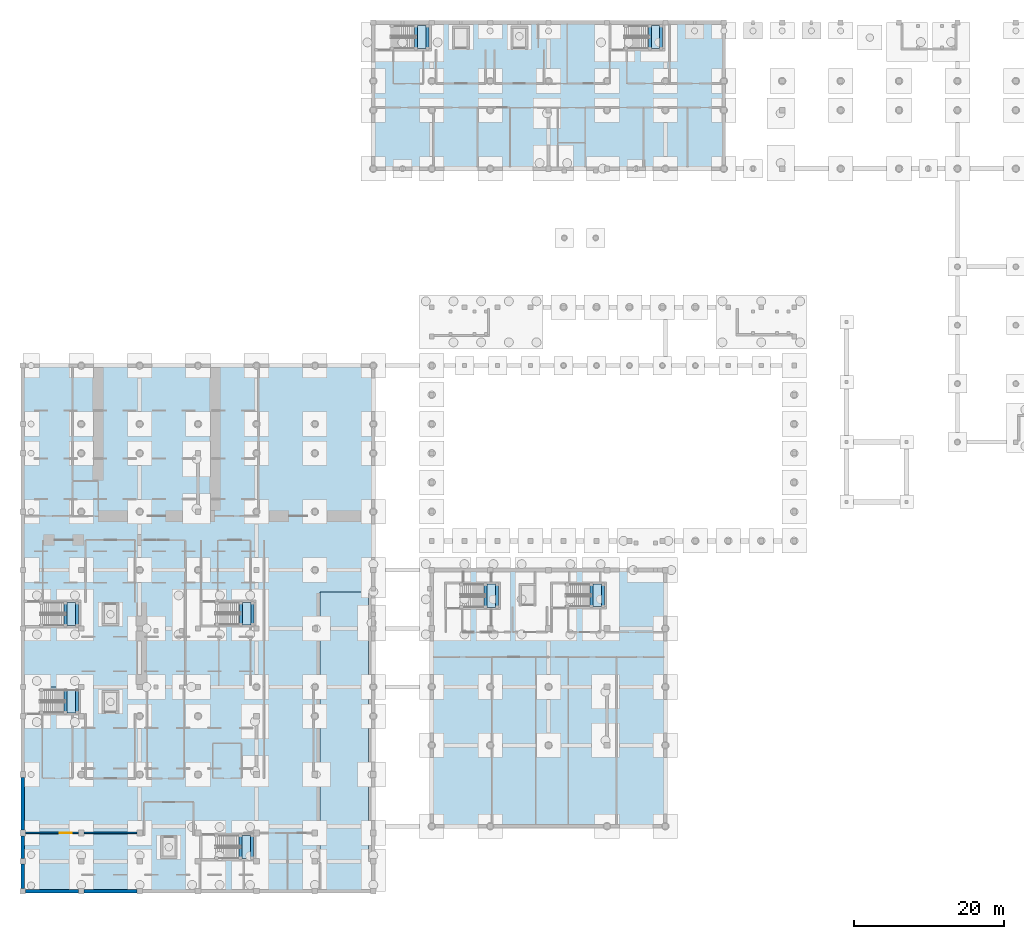
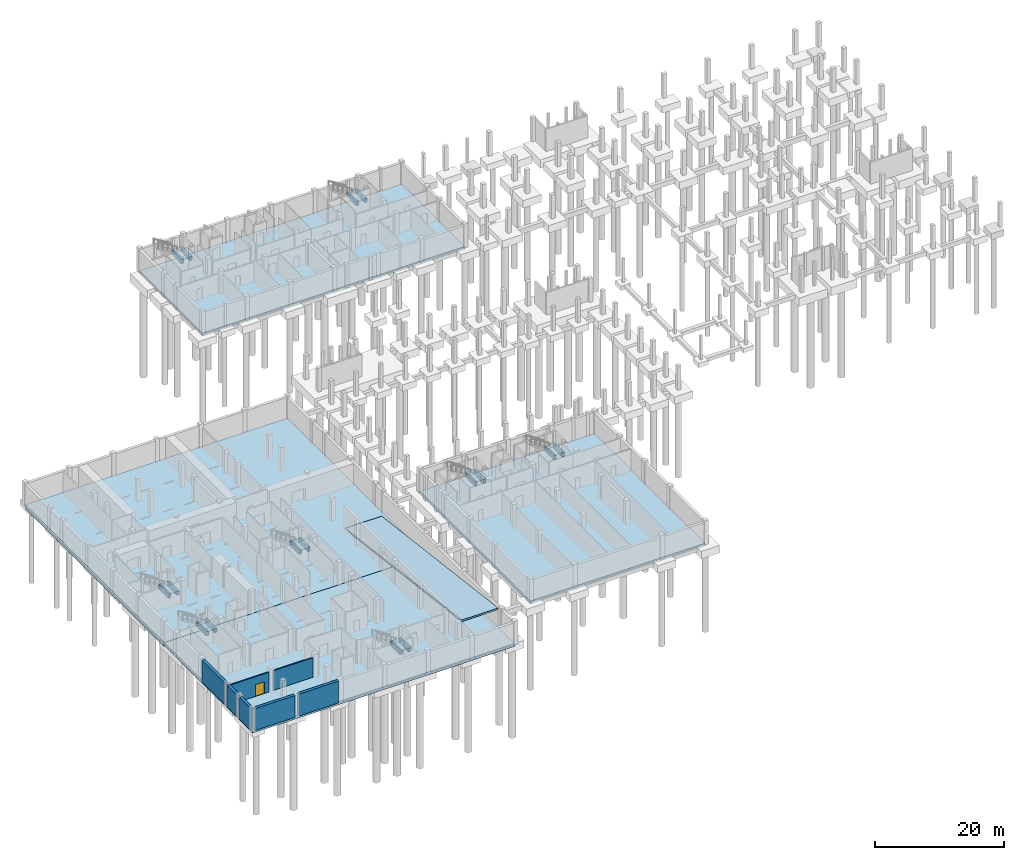
# One storey, part 9 of 24: 16 beams, 13 slabs, 7 walls, 1 door, 1 opening, 8 elements without a shape of their own.
"""IFC4 building model written with IfcOpenShell, lengths in metres."""

from ifc_helpers import new_model, si_unit, direction, frame, frame_2d, origin, origin_2d, place, context, subcontext, project, spatial, polyline, rectangle, outline, extrude, material, layer, layer_set, material_profile, profile_set, type_object, element, fill, aggregate, save


model = new_model("IFC4")

# Units and contexts
model_context = context("Model", 3, precision=1e-05, world=origin(), true_north=direction((0.0, 1.0)))
body_context = subcontext(model_context, "Body", "Model", "MODEL_VIEW")
ifc_project = project(units=[si_unit("LENGTHUNIT", "METRE"), si_unit("AREAUNIT", "SQUARE_METRE"), si_unit("VOLUMEUNIT", "CUBIC_METRE"), si_unit("PLANEANGLEUNIT", "RADIAN"), si_unit("MASSUNIT", "GRAM", prefix="KILO")], contexts=[model_context])

# Site, building, storey
site_placement = place(None, origin())
site = spatial("IfcSite", under=ifc_project, at=site_placement, CompositionType="ELEMENT")
building_placement = place(site_placement, origin())
building = spatial("IfcBuilding", under=site, at=building_placement, Name="Celorna Specialist Clinic", CompositionType="ELEMENT")
storey_placement = place(building_placement, frame((0.0, 0.0, -4.5)))
storey = spatial("IfcBuildingStorey", under=building, at=storey_placement, Name="B01", CompositionType="ELEMENT", Elevation=-4.5)

# Beams
ifc_material_1 = material(Name="Concrete C35/45", Category="concrete")
ifc_material_profile = material_profile(ifc_material_1, rectangle(XDim=0.39990234375, YDim=0.699951171875, at=origin_2d()), Name="RC 400x700")
ifc_profile_set = profile_set([ifc_material_profile], Name="Concrete C35/45")
beam_type = type_object("IfcBeamType", Name="BM-19", PredefinedType="BEAM", material=ifc_profile_set)
for number, where, z_axis, x_axis, name in (
    (1, (52.52001953125, 112.570068359375, 1.824951171875), (0.0, 1.0, 0.0), (-1.0, 0.0, 0.0), "Stair ST-01 half-landing beam B01"),
    (2, (54.0400390625, 112.570068359375, 1.824951171875), (0.0, 1.0, 0.0), (-1.0, 0.0, 0.0), "Stair ST-01 half-landing beam B01"),
    (3, (83.719970703125, 112.570068359375, 1.824951171875), (0.0, 1.0, 0.0), (-1.0, 0.0, 0.0), "Stair ST-02 half-landing beam B01"),
    (4, (85.239990234375, 112.570068359375, 1.824951171875), (0.0, 1.0, 0.0), (-1.0, 0.0, 0.0), "Stair ST-02 half-landing beam B01"),
    (5, (5.68994140625, 23.8701171875, 1.824951171875), (0.0, 1.0, 0.0), (-1.0, 0.0, 0.0), "Stair ST-04 half-landing beam B01"),
    (6, (7.2099609375, 23.8701171875, 1.824951171875), (0.0, 1.0, 0.0), (-1.0, 0.0, 0.0), "Stair ST-04 half-landing beam B01"),
    (7, (29.090087890625, 4.429931640625, 1.824951171875), (0.0, 1.0, 0.0), (-1.0, 0.0, 0.0), "Stair ST-05 half-landing beam B01"),
    (8, (30.610107421875, 4.429931640625, 1.824951171875), (0.0, 1.0, 0.0), (-1.0, 0.0, 0.0), "Stair ST-05 half-landing beam B01"),
    (9, (5.719970703125, 35.530029296875, 1.824951171875), (0.0, 1.0, 0.0), (-1.0, 0.0, 0.0), "Stair ST-06 half-landing beam B01"),
    (10, (7.239990234375, 35.530029296875, 1.824951171875), (0.0, 1.0, 0.0), (-1.0, 0.0, 0.0), "Stair ST-06 half-landing beam B01"),
):
    element("IfcBeam", number, at=place(storey_placement, frame(where, z_axis=z_axis, x_axis=x_axis)), inside=storey, type_object=beam_type, Name=name, PredefinedType="BEAM", context=body_context, shape_type="SweptSolid", body=[
        extrude(rectangle(XDim=0.39990234375, YDim=0.699951171875, at=origin_2d()), origin(), (0.0, 0.0, 1.0), 3.0),
    ])
for number, where, z_axis, x_axis, name in (
    (11, (29.1201171875, 35.6298828125, 1.824951171875), (0.0, 1.0, 0.0), (-1.0, 0.0, 0.0), "Stair ST-07 half-landing beam B01"),
    (12, (30.639892578125, 35.6298828125, 1.824951171875), (0.0, 1.0, 0.0), (-1.0, 0.0, 0.0), "Stair ST-07 half-landing beam B01"),
):
    element("IfcBeam", number, at=place(storey_placement, frame(where, z_axis=z_axis, x_axis=x_axis)), inside=storey, type_object=beam_type, Name=name, PredefinedType="BEAM", context=body_context, shape_type="SweptSolid", body=[
        extrude(rectangle(XDim=0.39990234375, YDim=0.699951171875, at=origin_2d()), origin(), (0.0, 0.0, 1.0), 2.900146484375),
    ])
for number, where, z_axis, x_axis, name in (
    (13, (61.780029296875, 37.969970703125, 1.824951171875), (0.0, 1.0, 0.0), (-1.0, 0.0, 0.0), "Stair ST-08 half-landing beam B01"),
    (14, (63.300048828125, 37.969970703125, 1.824951171875), (0.0, 1.0, 0.0), (-1.0, 0.0, 0.0), "Stair ST-08 half-landing beam B01"),
):
    element("IfcBeam", number, at=place(storey_placement, frame(where, z_axis=z_axis, x_axis=x_axis)), inside=storey, type_object=beam_type, Name=name, PredefinedType="BEAM", context=body_context, shape_type="SweptSolid", body=[
        extrude(rectangle(XDim=0.39990234375, YDim=0.699951171875, at=origin_2d()), origin(), (0.0, 0.0, 1.0), 3.0),
    ])
for number, where, z_axis, x_axis, name in (
    (15, (75.919921875, 38.070068359375, 1.824951171875), (0.0, 1.0, 0.0), (-1.0, 0.0, 0.0), "Stair ST-09 half-landing beam B01"),
    (16, (77.43994140625, 38.070068359375, 1.824951171875), (0.0, 1.0, 0.0), (-1.0, 0.0, 0.0), "Stair ST-09 half-landing beam B01"),
):
    element("IfcBeam", number, at=place(storey_placement, frame(where, z_axis=z_axis, x_axis=x_axis)), inside=storey, type_object=beam_type, Name=name, PredefinedType="BEAM", context=body_context, shape_type="SweptSolid", body=[
        extrude(rectangle(XDim=0.39990234375, YDim=0.699951171875, at=origin_2d()), origin(), (0.0, 0.0, 1.0), 2.89990234375),
    ])

# Slabs
ifc_layer_1 = layer(ifc_material_1, 0.280029296875, Name="Concrete C35/45")
ifc_layer_set_1 = layer_set([ifc_layer_1], Name="Concrete C35/45")
slab_type_1 = type_object("IfcSlabType", Name="RMP-01", PredefinedType="FLOOR", material=ifc_layer_set_1)
slab_1_placement = place(storey_placement, frame((39.64990234375, 40.0, 0.0), z_axis=(0.0, 0.124034734589, 0.992277876714), x_axis=(1.0, 0.0, 0.0)))
element("IfcSlab", 17, at=slab_1_placement, inside=storey, type_object=slab_type_1, Name="Basement vehicle car park ramp R1", PredefinedType="FLOOR", context=body_context, shape_type="SweptSolid", body=[
    extrude(outline(polyline([(0.0, 0.0), (6.5, 0.0), (6.5, -36.28015986734347), (0.0, -36.28015986734347), (0.0, 0.0)])), origin(), (0.0, 0.0, -1.0), 0.280029296875),
])
ifc_material_2 = material(Name="Concrete C40/50", Category="concrete")
ifc_layer_2 = layer(ifc_material_2, 0.800048828125, Name="Concrete C40/50")
ifc_layer_set_2 = layer_set([ifc_layer_2], Name="Concrete C40/50")
slab_type_2 = type_object("IfcSlabType", Name="SL-01", PredefinedType="BASESLAB", material=ifc_layer_set_2)
slab_2_placement = place(storey_placement, frame((0.0, 0.0, -0.800048828125)))
element("IfcSlab", 18, at=slab_2_placement, inside=storey, type_object=slab_type_2, Name="V2 B01 structural slab SL-01", PredefinedType="BASESLAB", context=body_context, shape_type="SweptSolid", body=[
    extrude(outline(polyline([(46.800048828125, 27.300048828125), (46.800048828125, 70.199951171875), (0.0, 70.199951171875), (0.0, 27.300048828125), (46.800048828125, 27.300048828125)]), holes=[polyline([(39.64990234375, 37.699951171875), (46.14990234375, 37.699951171875), (46.14990234375, 40.0), (39.64990234375, 40.0), (39.64990234375, 37.699951171875)])]), origin(), (0.0, 0.0, 1.0), 0.800048828125),
])
ifc_layer_3 = layer(ifc_material_1, 0.550048828125, Name="Concrete C35/45")
ifc_layer_set_3 = layer_set([ifc_layer_3], Name="Concrete C35/45")
slab_type_3 = type_object("IfcSlabType", Name="SL-02", PredefinedType="BASESLAB", material=ifc_layer_set_3)
slab_3_placement = place(storey_placement, frame((0.0, 0.0, -0.550048828125)))
element("IfcSlab", 19, at=slab_3_placement, inside=storey, type_object=slab_type_3, Name="V4 B01 structural slab SL-02", PredefinedType="BASESLAB", context=body_context, shape_type="SweptSolid", body=[
    extrude(outline(polyline([(93.60009765625, 96.5), (93.60009765625, 116.0), (46.800048828125, 116.0), (46.800048828125, 96.5), (93.60009765625, 96.5)])), origin(), (0.0, 0.0, 1.0), 0.550048828125),
])
slab_4_placement = place(storey_placement, frame((0.0, 0.0, -0.550048828125)))
element("IfcSlab", 20, at=slab_4_placement, inside=storey, type_object=slab_type_3, Name="V5 B01 structural slab SL-02", PredefinedType="BASESLAB", context=body_context, shape_type="SweptSolid", body=[
    extrude(outline(polyline([(46.800048828125, 0.0), (46.800048828125, 27.300048828125), (0.0, 27.300048828125), (0.0, 0.0), (46.800048828125, 0.0)])), origin(), (0.0, 0.0, 1.0), 0.550048828125),
])
slab_5_placement = place(storey_placement, frame((0.0, 0.0, -0.550048828125)))
element("IfcSlab", 21, at=slab_5_placement, inside=storey, type_object=slab_type_3, Name="V6 B01 structural slab SL-02", PredefinedType="BASESLAB", context=body_context, shape_type="SweptSolid", body=[
    extrude(outline(polyline([(85.800048828125, 8.699951171875), (85.800048828125, 42.89990234375), (54.60009765625, 42.89990234375), (54.60009765625, 8.699951171875), (85.800048828125, 8.699951171875)])), origin(), (0.0, 0.0, 1.0), 0.550048828125),
])

# Stair, slab
stair_type_1 = type_object("IfcStairType", Name="ST-01", PredefinedType="HALF_TURN_STAIR", material=ifc_material_1)
stair_1_placement = place(storey_placement, origin())
stair_1 = element("IfcStair", 22, at=stair_1_placement, inside=storey, type_object=stair_type_1, Name="B01 Protected exit stair ST-01", PredefinedType="HALF_TURN_STAIR")
ifc_layer_4 = layer(ifc_material_1, 0.199951171875, Name="Concrete C35/45")
ifc_layer_set_4 = layer_set([ifc_layer_4], Name="Concrete C35/45")
slab_type_4 = type_object("IfcSlabType", Name="SL-11", PredefinedType="LANDING", material=ifc_layer_set_4)
slab_6_placement = place(storey_placement, frame((0.0, 0.0, 2.050048828125)))
slab_6 = element("IfcSlab", 23, at=slab_6_placement, type_object=slab_type_4, Name="ST-01 landing 1", PredefinedType="LANDING", context=body_context, shape_type="SweptSolid", body=[
    extrude(outline(polyline([(52.5, 112.52001953125), (54.239990234375, 112.52001953125), (54.239990234375, 115.6201171875), (52.5, 115.6201171875), (52.5, 112.52001953125)])), origin(), (0.0, 0.0, 1.0), 0.199951171875),
])
aggregate(stair_1, [slab_6])

stair_2_placement = place(storey_placement, origin())
stair_2 = element("IfcStair", 24, at=stair_2_placement, inside=storey, type_object=stair_type_1, Name="B01 Protected exit stair ST-02", PredefinedType="HALF_TURN_STAIR")
slab_7_placement = place(storey_placement, frame((0.0, 0.0, 2.050048828125)))
slab_7 = element("IfcSlab", 25, at=slab_7_placement, type_object=slab_type_4, Name="ST-02 landing 1", PredefinedType="LANDING", context=body_context, shape_type="SweptSolid", body=[
    extrude(outline(polyline([(83.699951171875, 112.52001953125), (85.43994140625, 112.52001953125), (85.43994140625, 115.6201171875), (83.699951171875, 115.6201171875), (83.699951171875, 112.52001953125)])), origin(), (0.0, 0.0, 1.0), 0.199951171875),
])
aggregate(stair_2, [slab_7])

stair_3_placement = place(storey_placement, origin())
stair_3 = element("IfcStair", 26, at=stair_3_placement, inside=storey, type_object=stair_type_1, Name="B01 Protected exit stair ST-04", PredefinedType="HALF_TURN_STAIR")
slab_8_placement = place(storey_placement, frame((0.0, 0.0, 2.050048828125)))
slab_8 = element("IfcSlab", 27, at=slab_8_placement, type_object=slab_type_4, Name="ST-04 landing 1", PredefinedType="LANDING", context=body_context, shape_type="SweptSolid", body=[
    extrude(outline(polyline([(5.669921875, 23.820068359375), (7.409912109375, 23.820068359375), (7.409912109375, 26.919921875), (5.669921875, 26.919921875), (5.669921875, 23.820068359375)])), origin(), (0.0, 0.0, 1.0), 0.199951171875),
])
aggregate(stair_3, [slab_8])

stair_4_placement = place(storey_placement, origin())
stair_4 = element("IfcStair", 28, at=stair_4_placement, inside=storey, type_object=stair_type_1, Name="B01 Protected exit stair ST-05", PredefinedType="HALF_TURN_STAIR")
slab_9_placement = place(storey_placement, frame((0.0, 0.0, 2.050048828125)))
slab_9 = element("IfcSlab", 29, at=slab_9_placement, type_object=slab_type_4, Name="ST-05 landing 1", PredefinedType="LANDING", context=body_context, shape_type="SweptSolid", body=[
    extrude(outline(polyline([(29.070068359375, 4.3798828125), (30.81005859375, 4.3798828125), (30.81005859375, 7.47998046875), (29.070068359375, 7.47998046875), (29.070068359375, 4.3798828125)])), origin(), (0.0, 0.0, 1.0), 0.199951171875),
])
aggregate(stair_4, [slab_9])

stair_5_placement = place(storey_placement, origin())
stair_5 = element("IfcStair", 30, at=stair_5_placement, inside=storey, type_object=stair_type_1, Name="B01 Protected exit stair ST-06", PredefinedType="HALF_TURN_STAIR")
slab_10_placement = place(storey_placement, frame((0.0, 0.0, 2.050048828125)))
slab_10 = element("IfcSlab", 31, at=slab_10_placement, type_object=slab_type_4, Name="ST-06 landing 1", PredefinedType="LANDING", context=body_context, shape_type="SweptSolid", body=[
    extrude(outline(polyline([(5.699951171875, 35.47998046875), (7.43994140625, 35.47998046875), (7.43994140625, 38.580078125), (5.699951171875, 38.580078125), (5.699951171875, 35.47998046875)])), origin(), (0.0, 0.0, 1.0), 0.199951171875),
])
aggregate(stair_5, [slab_10])

stair_type_2 = type_object("IfcStairType", Name="ST-04", PredefinedType="HALF_TURN_STAIR", material=ifc_material_1)
stair_6_placement = place(storey_placement, origin())
stair_6 = element("IfcStair", 32, at=stair_6_placement, inside=storey, type_object=stair_type_2, Name="B01 Protected exit stair ST-07", PredefinedType="HALF_TURN_STAIR")
slab_11_placement = place(storey_placement, frame((0.0, 0.0, 2.050048828125)))
slab_11 = element("IfcSlab", 33, at=slab_11_placement, type_object=slab_type_4, Name="ST-07 landing 1", PredefinedType="LANDING", context=body_context, shape_type="SweptSolid", body=[
    extrude(outline(polyline([(29.10009765625, 35.580078125), (30.840087890625, 35.580078125), (30.840087890625, 38.580078125), (29.10009765625, 38.580078125), (29.10009765625, 35.580078125)])), origin(), (0.0, 0.0, 1.0), 0.199951171875),
])
aggregate(stair_6, [slab_11])

stair_7_placement = place(storey_placement, origin())
stair_7 = element("IfcStair", 34, at=stair_7_placement, inside=storey, type_object=stair_type_1, Name="B01 Protected exit stair ST-08", PredefinedType="HALF_TURN_STAIR")
slab_12_placement = place(storey_placement, frame((0.0, 0.0, 2.050048828125)))
slab_12 = element("IfcSlab", 35, at=slab_12_placement, type_object=slab_type_4, Name="ST-08 landing 1", PredefinedType="LANDING", context=body_context, shape_type="SweptSolid", body=[
    extrude(outline(polyline([(61.760009765625, 37.919921875), (63.5, 37.919921875), (63.5, 41.02001953125), (61.760009765625, 41.02001953125), (61.760009765625, 37.919921875)])), origin(), (0.0, 0.0, 1.0), 0.199951171875),
])
aggregate(stair_7, [slab_12])

stair_8_placement = place(storey_placement, origin())
stair_8 = element("IfcStair", 36, at=stair_8_placement, inside=storey, type_object=stair_type_2, Name="B01 Protected exit stair ST-09", PredefinedType="HALF_TURN_STAIR")
slab_13_placement = place(storey_placement, frame((0.0, 0.0, 2.050048828125)))
slab_13 = element("IfcSlab", 37, at=slab_13_placement, type_object=slab_type_4, Name="ST-09 landing 1", PredefinedType="LANDING", context=body_context, shape_type="SweptSolid", body=[
    extrude(outline(polyline([(75.89990234375, 38.02001953125), (77.639892578125, 38.02001953125), (77.639892578125, 41.02001953125), (75.89990234375, 41.02001953125), (75.89990234375, 38.02001953125)])), origin(), (0.0, 0.0, 1.0), 0.199951171875),
])
aggregate(stair_8, [slab_13])

# Walls
ifc_layer_5 = layer(ifc_material_1, 0.5, Name="Concrete C35/45")
ifc_layer_set_5 = layer_set([ifc_layer_5], Name="Concrete C35/45")
wall_type_1 = type_object("IfcWallType", Name="WT-03", PredefinedType="SOLIDWALL", material=ifc_layer_set_5)
for number, where, z_axis, x_axis, name in (
    (38, (15.22509765625, 0.0, 0.0), (0.0, 0.0, 1.0), (-1.0, 0.0, 0.0), "External facade wall WT-03 #30"),
    (39, (7.425048828125, 0.0, 0.0), (0.0, 0.0, 1.0), (-1.0, 0.0, 0.0), "External facade wall WT-03 #31"),
):
    element("IfcWall", number, at=place(storey_placement, frame(where, z_axis=z_axis, x_axis=x_axis)), inside=storey, type_object=wall_type_1, Name=name, PredefinedType="SOLIDWALL", context=body_context, shape_type="SweptSolid", body=[
        extrude(rectangle(XDim=7.050048828125, YDim=0.5, at=frame_2d((3.52490234375, 0.0))), origin(), (0.0, 0.0, 1.0), 4.1201171875),
    ])
wall_1_placement = place(storey_placement, frame((0.0, 0.375, 0.0), z_axis=(0.0, 0.0, 1.0), x_axis=(0.0, 1.0, 0.0)))
element("IfcWall", 40, at=wall_1_placement, inside=storey, type_object=wall_type_1, Name="External facade wall WT-03 #32", PredefinedType="SOLIDWALL", context=body_context, shape_type="SweptSolid", body=[
    extrude(rectangle(XDim=3.25, YDim=0.5, at=frame_2d((1.625, 0.0))), origin(), (0.0, 0.0, 1.0), 4.1201171875),
])
wall_2_placement = place(storey_placement, frame((0.0, 4.375, 0.0), z_axis=(0.0, 0.0, 1.0), x_axis=(0.0, 1.0, 0.0)))
element("IfcWall", 41, at=wall_2_placement, inside=storey, type_object=wall_type_1, Name="External facade wall WT-03 #33", PredefinedType="SOLIDWALL", context=body_context, shape_type="SweptSolid", body=[
    extrude(rectangle(XDim=3.050048828125, YDim=0.5, at=frame_2d((1.52490234375, 0.0))), origin(), (0.0, 0.0, 1.0), 4.1201171875),
])
wall_3_placement = place(storey_placement, frame((0.0, 8.175048828125, 0.0), z_axis=(0.0, 0.0, 1.0), x_axis=(0.0, 1.0, 0.0)))
element("IfcWall", 42, at=wall_3_placement, inside=storey, type_object=wall_type_1, Name="External facade wall WT-03 #34", PredefinedType="SOLIDWALL", context=body_context, shape_type="SweptSolid", body=[
    extrude(rectangle(XDim=7.050048828125, YDim=0.5, at=frame_2d((3.52490234375, 0.0))), origin(), (0.0, 0.0, 1.0), 4.1201171875),
])
ifc_layer_6 = layer(ifc_material_1, 0.199951171875, Name="Concrete C35/45")
ifc_layer_set_6 = layer_set([ifc_layer_6], Name="Concrete C35/45")
wall_type_2 = type_object("IfcWallType", Name="WT-12", PredefinedType="SOLIDWALL", material=ifc_layer_set_6)
wall_4_placement = place(storey_placement, frame((15.22509765625, 7.800048828125, 0.0), z_axis=(0.0, 0.0, 1.0), x_axis=(-1.0, 0.0, 0.0)))
element("IfcWall", 43, at=wall_4_placement, inside=storey, type_object=wall_type_2, Name="Interior partition WT-12 B01-038", PredefinedType="SOLIDWALL", context=body_context, shape_type="SweptSolid", body=[
    extrude(rectangle(XDim=7.050048828125, YDim=0.199951171875, at=frame_2d((3.52490234375, 0.0))), origin(), (0.0, 0.0, 1.0), 3.699951171875),
])

# Wall, opening, door
wall_5_placement = place(storey_placement, frame((7.425048828125, 7.800048828125, 0.0), z_axis=(0.0, 0.0, 1.0), x_axis=(-1.0, 0.0, 0.0)))
wall_5 = element("IfcWall", 44, at=wall_5_placement, inside=storey, type_object=wall_type_2, Name="Interior partition WT-12 B01-038", PredefinedType="SOLIDWALL", context=body_context, shape_type="SweptSolid", body=[
    extrude(rectangle(XDim=7.050048828125, YDim=0.199951171875, at=frame_2d((3.52490234375, 0.0))), origin(), (0.0, 0.0, 1.0), 3.699951171875),
])
opening_placement = place(wall_5_placement, frame((0.8798828125, 0.0, 0.0)))
opening = element("IfcOpeningElement", 45, at=opening_placement, cuts=wall_5, Name="Opening DR-12", PredefinedType="OPENING", context=body_context, shape_type="SweptSolid", body=[
    extrude(rectangle(XDim=1.60009765625, YDim=2.199951171875, at=frame_2d((0.800048828125, 1.10009765625))), frame((0.0, 0.10986328125, 0.0), z_axis=(0.0, -1.0, 0.0), x_axis=(1.0, 0.0, 0.0)), (0.0, 0.0, 1.0), 0.219970703125),
])
ifc_material_3 = material(Name="Corridor cross-compartment pair door")
door_type = type_object("IfcDoorType", Name="DR-12", OperationType="DOUBLE_DOOR_SINGLE_SWING", PredefinedType="DOOR", material=ifc_material_3)
door_placement = place(opening_placement, origin())
door = element("IfcDoor", 46, at=door_placement, inside=storey, type_object=door_type, Name="Basement Car Park door B01-038", OperationType="DOUBLE_DOOR_SINGLE_SWING", OverallHeight=2.199951171875, OverallWidth=1.60009765625, PredefinedType="DOOR", context=body_context, shape_type="SweptSolid", body=[
    extrude(rectangle(XDim=1.60009765625, YDim=2.199951171875, at=frame_2d((0.800048828125, 1.10009765625))), frame((0.0, 0.02490234375, 0.0), z_axis=(0.0, -1.0, 0.0), x_axis=(1.0, 0.0, 0.0)), (0.0, 0.0, 1.0), 0.050048828125),
])
fill(opening, door)

save(model, "model.ifc")
